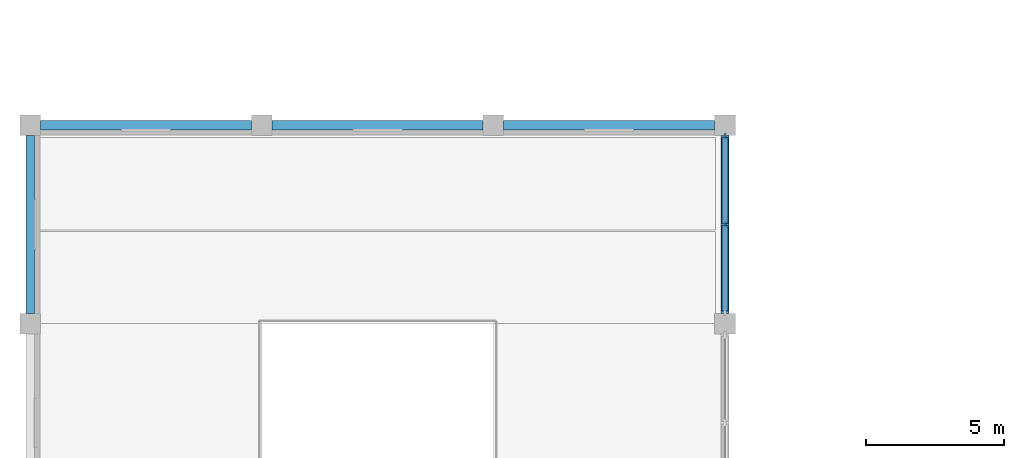
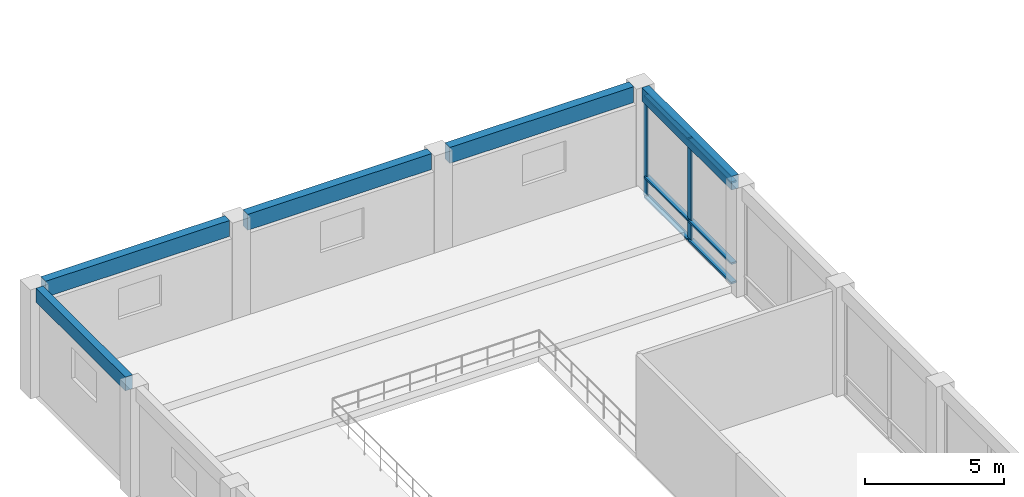
# One storey, part 19 of 52: 8 members, 5 beams, 1 element without a shape of its own.
"""IFC4 building model written with IfcOpenShell, lengths in metres."""

from ifc_helpers import new_model, si_unit, direction, frame, origin, origin_2d, place, context, subcontext, project, spatial, rectangle, extrude, material, material_profile, profile_set, type_object, element, aggregate, save


model = new_model("IFC4")

# Units and contexts
model_context = context("Model", 3, precision=1e-05, world=origin(), true_north=direction((0.0, 1.0)))
body_context = subcontext(model_context, "Body", "Model", "MODEL_VIEW")
ifc_project = project(units=[si_unit("LENGTHUNIT", "METRE"), si_unit("AREAUNIT", "SQUARE_METRE"), si_unit("VOLUMEUNIT", "CUBIC_METRE"), si_unit("PLANEANGLEUNIT", "RADIAN"), si_unit("MASSUNIT", "GRAM", prefix="KILO")], contexts=[model_context])

# Site, building, storey
site_placement = place(None, origin())
site = spatial("IfcSite", under=ifc_project, at=site_placement, CompositionType="ELEMENT")
building_placement = place(site_placement, origin())
building = spatial("IfcBuilding", under=site, at=building_placement, Name="Kenerak Square Central Library", CompositionType="ELEMENT")
storey_placement = place(building_placement, frame((0.0, 0.0, 4.800048828125)))
storey = spatial("IfcBuildingStorey", under=building, at=storey_placement, Name="L01", CompositionType="ELEMENT", Elevation=4.800048828125)

# Beams
ifc_material_1 = material(Name="Concrete C40/50", Category="concrete")
ifc_material_profile_1 = material_profile(ifc_material_1, rectangle(XDim=0.300048828125, YDim=0.60009765625, at=origin_2d()), Name="RC 300x600")
ifc_profile_set_1 = profile_set([ifc_material_profile_1], Name="Concrete C40/50")
beam_type_1 = type_object("IfcBeamType", Name="Courtyard Spandrel Beam SP-02 RC 300x600 C40/50", PredefinedType="SPANDREL", material=ifc_profile_set_1)
for number, where, z_axis, x_axis, name in (
    (1, (8.0, 67.574951171875, 4.5), (0.0, 1.0, 0.0), (-1.0, 0.0, 0.0), "Beam SP-02 L01 0987"),
    (2, (33.199951171875, 67.574951171875, 4.5), (0.0, 1.0, 0.0), (-1.0, 0.0, 0.0), "Beam SP-02 L01 0995"),
):
    element("IfcBeam", number, at=place(storey_placement, frame(where, z_axis=z_axis, x_axis=x_axis)), inside=storey, type_object=beam_type_1, Name=name, PredefinedType="SPANDREL", context=body_context, shape_type="SweptSolid", body=[
        extrude(rectangle(XDim=0.300048828125, YDim=0.60009765625, at=origin_2d()), origin(), (0.0, 0.0, 1.0), 6.449951171875),
    ])

# Curtain wall, members
ifc_material_2 = material(Name="Anodised aluminium and solar-control low-E glazing", Category="aluminium")
curtain_wall_type = type_object("IfcCurtainWallType", Name="Curtain Wall CW-V3-64x45 6450x4500", PredefinedType="USERDEFINED", material=ifc_material_2)
curtain_wall_placement = place(storey_placement, origin())
curtain_wall = element("IfcCurtainWall", 3, at=curtain_wall_placement, inside=storey, type_object=curtain_wall_type, Name="Curtain Wall CW-V3-64x45 L01 0059", ObjectType="CURTAIN WALL", PredefinedType="USERDEFINED")
ifc_material_3 = material(Name="Anodised aluminium 6063-T6", Category="aluminium")
ifc_material_profile_2 = material_profile(ifc_material_3, rectangle(XDim=0.080078125, YDim=0.239990234375, at=origin_2d()), Name="AL MULLION 80x240")
ifc_profile_set_2 = profile_set([ifc_material_profile_2], Name="Anodised aluminium 6063-T6")
member_type_1 = type_object("IfcMemberType", Name="Curtain Mullion CM-04 80x240", PredefinedType="MULLION", material=ifc_profile_set_2)
member_1_placement = place(storey_placement, frame((33.199951171875, 73.985107421875, 0.0), z_axis=(0.0, 0.0, 1.0), x_axis=(1.0, 0.0, 0.0)))
member_1 = element("IfcMember", 4, at=member_1_placement, type_object=member_type_1, Name="CW-V3-64x45 Mullion 1", PredefinedType="MULLION", context=body_context, shape_type="SweptSolid", body=[
    extrude(rectangle(XDim=0.080078125, YDim=0.239990234375, at=origin_2d()), origin(), (0.0, 0.0, 1.0), 4.5),
])
member_2_placement = place(storey_placement, frame((33.199951171875, 70.800048828125, 0.0), z_axis=(0.0, 0.0, 1.0), x_axis=(1.0, 0.0, 0.0)))
member_2 = element("IfcMember", 5, at=member_2_placement, type_object=member_type_1, Name="CW-V3-64x45 Mullion 2", PredefinedType="MULLION", context=body_context, shape_type="SweptSolid", body=[
    extrude(rectangle(XDim=0.080078125, YDim=0.239990234375, at=origin_2d()), origin(), (0.0, 0.0, 1.0), 4.5),
])
ifc_material_profile_3 = material_profile(ifc_material_3, rectangle(XDim=0.219970703125, YDim=0.080078125, at=origin_2d()), Name="AL TRANSOM 220x80")
ifc_profile_set_3 = profile_set([ifc_material_profile_3], Name="Anodised aluminium 6063-T6")
member_type_2 = type_object("IfcMemberType", Name="Curtain Transom CT-14 220x80", PredefinedType="USERDEFINED", material=ifc_profile_set_3)
member_3_placement = place(storey_placement, frame((33.199951171875, 73.945068359375, 0.0400390625), z_axis=(0.0, -1.0, 0.0), x_axis=(1.0, 0.0, 0.0)))
member_3 = element("IfcMember", 6, at=member_3_placement, type_object=member_type_2, Name="CW-V3-64x45 Transom 1.1", ObjectType="TRANSOM", PredefinedType="USERDEFINED", context=body_context, shape_type="SweptSolid", body=[
    extrude(rectangle(XDim=0.219970703125, YDim=0.080078125, at=origin_2d()), origin(), (0.0, 0.0, 1.0), 3.10498046875),
])
member_4_placement = place(storey_placement, frame((33.199951171875, 73.945068359375, 0.89990234375), z_axis=(0.0, -1.0, 0.0), x_axis=(1.0, 0.0, 0.0)))
member_4 = element("IfcMember", 7, at=member_4_placement, type_object=member_type_2, Name="CW-V3-64x45 Transom 1.2", ObjectType="TRANSOM", PredefinedType="USERDEFINED", context=body_context, shape_type="SweptSolid", body=[
    extrude(rectangle(XDim=0.219970703125, YDim=0.080078125, at=origin_2d()), origin(), (0.0, 0.0, 1.0), 3.10498046875),
])
member_5_placement = place(storey_placement, frame((33.199951171875, 73.945068359375, 4.4599609375), z_axis=(0.0, -1.0, 0.0), x_axis=(1.0, 0.0, 0.0)))
member_5 = element("IfcMember", 8, at=member_5_placement, type_object=member_type_2, Name="CW-V3-64x45 Transom 1.3", ObjectType="TRANSOM", PredefinedType="USERDEFINED", context=body_context, shape_type="SweptSolid", body=[
    extrude(rectangle(XDim=0.219970703125, YDim=0.080078125, at=origin_2d()), origin(), (0.0, 0.0, 1.0), 3.10498046875),
])
member_6_placement = place(storey_placement, frame((33.199951171875, 70.760009765625, 0.0400390625), z_axis=(0.0, -1.0, 0.0), x_axis=(1.0, 0.0, 0.0)))
member_6 = element("IfcMember", 9, at=member_6_placement, type_object=member_type_2, Name="CW-V3-64x45 Transom 2.1", ObjectType="TRANSOM", PredefinedType="USERDEFINED", context=body_context, shape_type="SweptSolid", body=[
    extrude(rectangle(XDim=0.219970703125, YDim=0.080078125, at=origin_2d()), origin(), (0.0, 0.0, 1.0), 3.10498046875),
])
member_7_placement = place(storey_placement, frame((33.199951171875, 70.760009765625, 0.89990234375), z_axis=(0.0, -1.0, 0.0), x_axis=(1.0, 0.0, 0.0)))
member_7 = element("IfcMember", 10, at=member_7_placement, type_object=member_type_2, Name="CW-V3-64x45 Transom 2.2", ObjectType="TRANSOM", PredefinedType="USERDEFINED", context=body_context, shape_type="SweptSolid", body=[
    extrude(rectangle(XDim=0.219970703125, YDim=0.080078125, at=origin_2d()), origin(), (0.0, 0.0, 1.0), 3.10498046875),
])
member_8_placement = place(storey_placement, frame((33.199951171875, 70.760009765625, 4.4599609375), z_axis=(0.0, -1.0, 0.0), x_axis=(1.0, 0.0, 0.0)))
member_8 = element("IfcMember", 11, at=member_8_placement, type_object=member_type_2, Name="CW-V3-64x45 Transom 2.3", ObjectType="TRANSOM", PredefinedType="USERDEFINED", context=body_context, shape_type="SweptSolid", body=[
    extrude(rectangle(XDim=0.219970703125, YDim=0.080078125, at=origin_2d()), origin(), (0.0, 0.0, 1.0), 3.10498046875),
])
aggregate(curtain_wall, [member_1, member_2, member_3, member_4, member_5, member_6, member_7, member_8])

# Beams
ifc_material_profile_4 = material_profile(ifc_material_1, rectangle(XDim=0.35009765625, YDim=0.699951171875, at=origin_2d()), Name="RC 350x700")
ifc_profile_set_4 = profile_set([ifc_material_profile_4], Name="Concrete C40/50")
beam_type_2 = type_object("IfcBeamType", Name="Expressed Spandrel Beam SP-01 RC 350x700 C40/50", PredefinedType="SPANDREL", material=ifc_profile_set_4)
beam_1_placement = place(storey_placement, frame((8.375, 74.39990234375, 4.449951171875), z_axis=(1.0, 0.0, 0.0), x_axis=(0.0, 1.0, 0.0)))
element("IfcBeam", 12, at=beam_1_placement, inside=storey, type_object=beam_type_2, Name="Beam SP-01 L01 0928", PredefinedType="SPANDREL", context=body_context, shape_type="SweptSolid", body=[
    extrude(rectangle(XDim=0.35009765625, YDim=0.699951171875, at=origin_2d()), origin(), (0.0, 0.0, 1.0), 7.64990234375),
])
beam_2_placement = place(storey_placement, frame((16.77490234375, 74.39990234375, 4.449951171875), z_axis=(1.0, 0.0, 0.0), x_axis=(0.0, 1.0, 0.0)))
element("IfcBeam", 13, at=beam_2_placement, inside=storey, type_object=beam_type_2, Name="Beam SP-01 L01 0929", PredefinedType="SPANDREL", context=body_context, shape_type="SweptSolid", body=[
    extrude(rectangle(XDim=0.35009765625, YDim=0.699951171875, at=origin_2d()), origin(), (0.0, 0.0, 1.0), 7.650146484375),
])
beam_3_placement = place(storey_placement, frame((25.175048828125, 74.39990234375, 4.449951171875), z_axis=(1.0, 0.0, 0.0), x_axis=(0.0, 1.0, 0.0)))
element("IfcBeam", 14, at=beam_3_placement, inside=storey, type_object=beam_type_2, Name="Beam SP-01 L01 0930", PredefinedType="SPANDREL", context=body_context, shape_type="SweptSolid", body=[
    extrude(rectangle(XDim=0.35009765625, YDim=0.699951171875, at=origin_2d()), origin(), (0.0, 0.0, 1.0), 7.64990234375),
])

save(model, "model.ifc")
